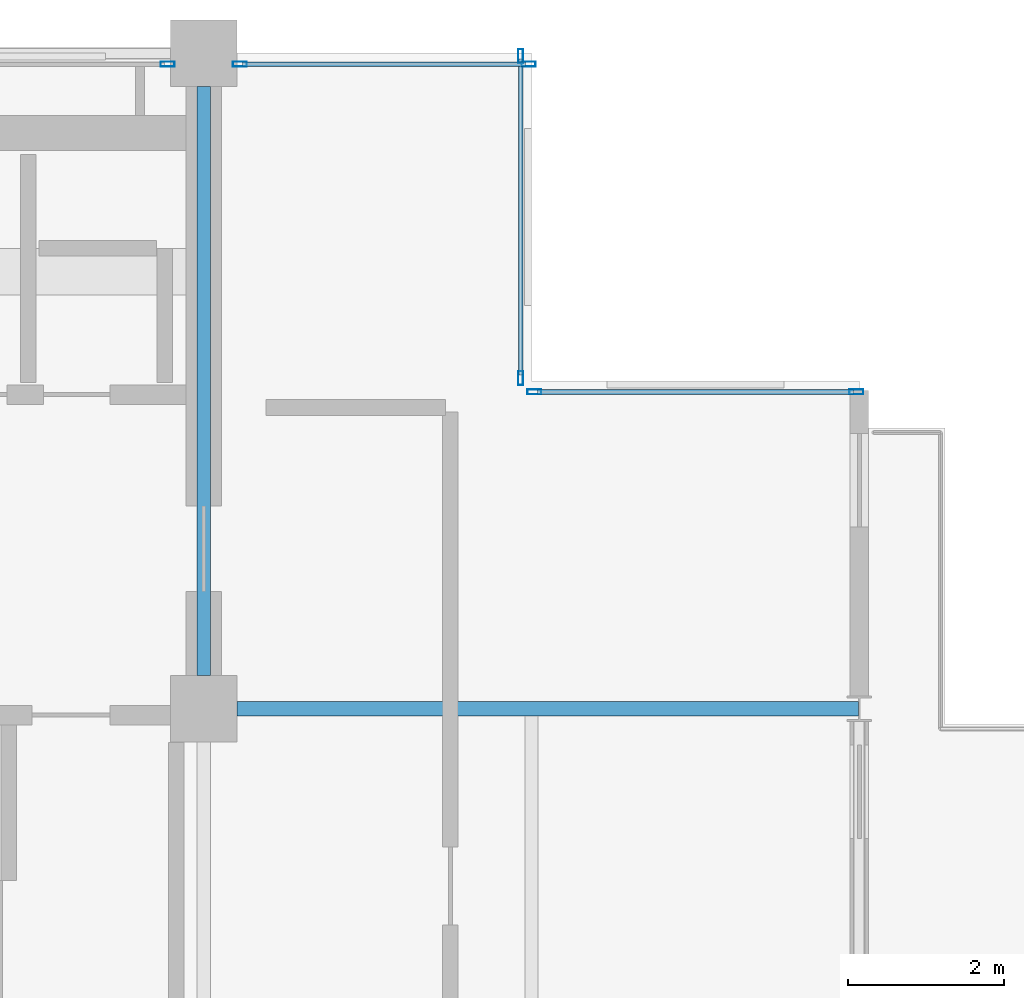
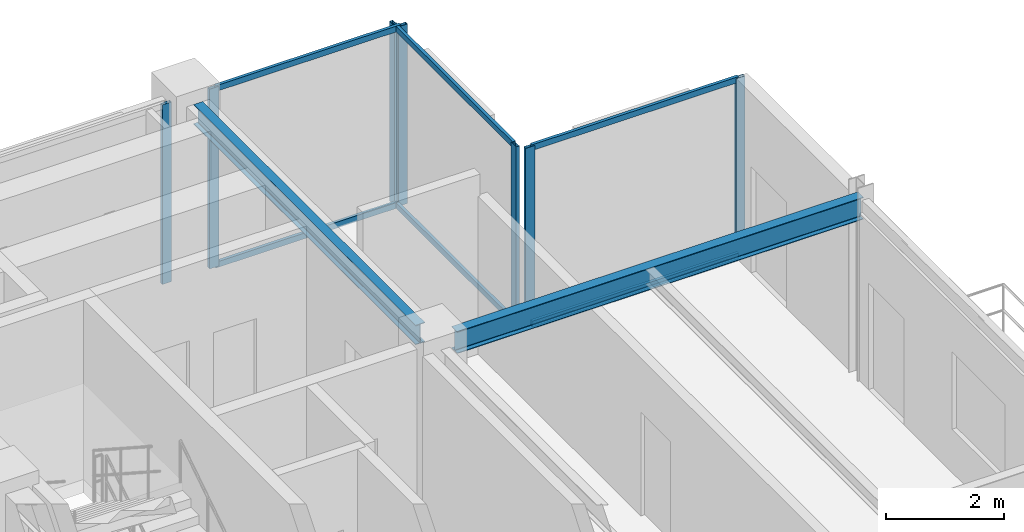
# One storey, part 19 of 26: 13 members, 2 beams, 4 elements without a shape of their own.
"""IFC4 building model written with IfcOpenShell, lengths in metres."""

from ifc_helpers import new_model, si_unit, direction, frame, origin, origin_2d, place, context, subcontext, project, spatial, hollow_rectangle, i_section, extrude, material, layer, layer_set, material_profile, profile_set, type_object, element, aggregate, save


model = new_model("IFC4")

# Units and contexts
model_context = context("Model", 3, precision=1e-05, world=origin(), true_north=direction((0.0, 1.0)))
body_context = subcontext(model_context, "Body", "Model", "MODEL_VIEW")
ifc_project = project(units=[si_unit("LENGTHUNIT", "METRE"), si_unit("AREAUNIT", "SQUARE_METRE"), si_unit("VOLUMEUNIT", "CUBIC_METRE"), si_unit("PLANEANGLEUNIT", "RADIAN"), si_unit("MASSUNIT", "GRAM", prefix="KILO")], contexts=[model_context])

# Site, building, storey
site_placement = place(None, origin())
site = spatial("IfcSite", under=ifc_project, at=site_placement, CompositionType="ELEMENT")
building_placement = place(site_placement, origin())
building = spatial("IfcBuilding", under=site, at=building_placement, Name="Nerrivon Quay Data Exchange", CompositionType="ELEMENT")
storey_placement = place(building_placement, frame((0.0, 0.0, 274.199951171875)))
storey = spatial("IfcBuildingStorey", under=building, at=storey_placement, Name="L65", CompositionType="ELEMENT", Elevation=274.199951171875)

# Beams
ifc_material_1 = material(Name="Steel Grade 350", Category="steel")
ifc_material_profile_1 = material_profile(ifc_material_1, i_section(OverallWidth=0.18994140625, OverallDepth=0.4541015625, WebThickness=0.008544921875, FlangeThickness=0.0126953125, FilletRadius=0.011474609375, at=origin_2d()), Name="460UB67.1")
ifc_profile_set_1 = profile_set([ifc_material_profile_1], Name="Steel Grade 350")
beam_type_1 = type_object("IfcBeamType", Name="BM-G6-460UB67", PredefinedType="BEAM", material=ifc_profile_set_1)
beam_1_placement = place(storey_placement, frame((17.22509765625, 33.60009765625, 3.498046875), z_axis=(1.0, 0.0, 0.0), x_axis=(0.0, 1.0, 0.0)))
element("IfcBeam", 1, at=beam_1_placement, inside=storey, type_object=beam_type_1, Name="L65 EW Girder Y=33.6 (16.8..25.2)", PredefinedType="BEAM", context=body_context, shape_type="SweptSolid", body=[
    extrude(i_section(OverallWidth=0.18994140625, OverallDepth=0.4541015625, WebThickness=0.008544921875, FlangeThickness=0.0126953125, FilletRadius=0.011474609375, at=origin_2d()), origin(), (0.0, 0.0, 1.0), 7.967041015625),
])
ifc_material_profile_2 = material_profile(ifc_material_1, i_section(OverallWidth=0.177978515625, OverallDepth=0.406005859375, WebThickness=0.0078125, FlangeThickness=0.0126953125, FilletRadius=0.011474609375, at=origin_2d()), Name="410UB59.7")
ifc_profile_set_2 = profile_set([ifc_material_profile_2], Name="Steel Grade 350")
beam_type_2 = type_object("IfcBeamType", Name="BM-J1-410UB60", PredefinedType="JOIST", material=ifc_profile_set_2)
beam_2_placement = place(storey_placement, frame((16.800048828125, 34.02490234375, 3.52197265625), z_axis=(0.0, 1.0, 0.0), x_axis=(-1.0, 0.0, 0.0)))
element("IfcBeam", 2, at=beam_2_placement, inside=storey, type_object=beam_type_2, Name="L65 NS Girder X=16.8 (33.6..42.0)", PredefinedType="JOIST", context=body_context, shape_type="SweptSolid", body=[
    extrude(i_section(OverallWidth=0.177978515625, OverallDepth=0.406005859375, WebThickness=0.0078125, FlangeThickness=0.0126953125, FilletRadius=0.011474609375, at=origin_2d()), origin(), (0.0, 0.0, 1.0), 7.550048828125),
])

# Curtain wall, member
ifc_material_2 = material(Name="Anodised aluminium 6063-T6", Category="aluminium")
ifc_layer = layer(ifc_material_2, 0.195068359375)
ifc_layer_set = layer_set([ifc_layer], Name="Anodised aluminium 6063-T6")
curtain_wall_type = type_object("IfcCurtainWallType", Name="CW-SYS-06", PredefinedType="NOTDEFINED", material=ifc_layer_set)
curtain_wall_1_placement = place(storey_placement, origin())
curtain_wall_1 = element("IfcCurtainWall", 3, at=curtain_wall_1_placement, inside=storey, type_object=curtain_wall_type, Name="L65 Unitised Curtain Wall 18", PredefinedType="NOTDEFINED")
ifc_material_profile_3 = material_profile(ifc_material_2, hollow_rectangle(XDim=0.06494140625, YDim=0.179931640625, WallThickness=0.00341796875, at=origin_2d()), Name="ALU-MULL-180x65")
ifc_profile_set_3 = profile_set([ifc_material_profile_3], Name="Anodised aluminium 6063-T6")
member_type_1 = type_object("IfcMemberType", Name="CWM-180x65", PredefinedType="MULLION", material=ifc_profile_set_3)
member_1_placement = place(storey_placement, frame((16.33740234375, 41.860107421875, 0.0), z_axis=(0.0, 0.0, 1.0), x_axis=(0.0, 1.0, 0.0)))
member_1 = element("IfcMember", 4, at=member_1_placement, type_object=member_type_1, Name="CW06 mullion 2", PredefinedType="MULLION", context=body_context, shape_type="SweptSolid", body=[
    extrude(hollow_rectangle(XDim=0.06494140625, YDim=0.179931640625, WallThickness=0.00341796875, at=origin_2d()), origin(), (0.0, 0.0, 1.0), 3.72509765625),
])
aggregate(curtain_wall_1, [member_1])

# Curtain wall, members
curtain_wall_2_placement = place(storey_placement, origin())
curtain_wall_2 = element("IfcCurtainWall", 5, at=curtain_wall_2_placement, inside=storey, type_object=curtain_wall_type, Name="L65 Unitised Curtain Wall 19", PredefinedType="NOTDEFINED")
member_2_placement = place(storey_placement, frame((17.262451171875, 41.860107421875, 0.0), z_axis=(0.0, 0.0, 1.0), x_axis=(0.0, 1.0, 0.0)))
member_2 = element("IfcMember", 6, at=member_2_placement, type_object=member_type_1, Name="CW06 mullion 1", PredefinedType="MULLION", context=body_context, shape_type="SweptSolid", body=[
    extrude(hollow_rectangle(XDim=0.06494140625, YDim=0.179931640625, WallThickness=0.00341796875, at=origin_2d()), origin(), (0.0, 0.0, 1.0), 3.72509765625),
])
member_3_placement = place(storey_placement, frame((20.96240234375, 41.860107421875, 0.0), z_axis=(0.0, 0.0, 1.0), x_axis=(0.0, 1.0, 0.0)))
member_3 = element("IfcMember", 7, at=member_3_placement, type_object=member_type_1, Name="CW06 mullion 2", PredefinedType="MULLION", context=body_context, shape_type="SweptSolid", body=[
    extrude(hollow_rectangle(XDim=0.06494140625, YDim=0.179931640625, WallThickness=0.00341796875, at=origin_2d()), origin(), (0.0, 0.0, 1.0), 3.72509765625),
])

curtain_wall_3_placement = place(storey_placement, origin())
curtain_wall_3 = element("IfcCurtainWall", 8, at=curtain_wall_3_placement, inside=storey, type_object=curtain_wall_type, Name="L65 Unitised Curtain Wall 20", PredefinedType="NOTDEFINED")
member_4_placement = place(storey_placement, frame((20.860107421875, 41.96240234375, 0.0), z_axis=(0.0, 0.0, 1.0), x_axis=(1.0, 0.0, 0.0)))
member_4 = element("IfcMember", 9, at=member_4_placement, type_object=member_type_1, Name="CW06 mullion 1", PredefinedType="MULLION", context=body_context, shape_type="SweptSolid", body=[
    extrude(hollow_rectangle(XDim=0.06494140625, YDim=0.179931640625, WallThickness=0.00341796875, at=origin_2d()), origin(), (0.0, 0.0, 1.0), 3.72509765625),
])
member_5_placement = place(storey_placement, frame((20.860107421875, 37.83740234375, 0.0), z_axis=(0.0, 0.0, 1.0), x_axis=(1.0, 0.0, 0.0)))
member_5 = element("IfcMember", 10, at=member_5_placement, type_object=member_type_1, Name="CW06 mullion 2", PredefinedType="MULLION", context=body_context, shape_type="SweptSolid", body=[
    extrude(hollow_rectangle(XDim=0.06494140625, YDim=0.179931640625, WallThickness=0.00341796875, at=origin_2d()), origin(), (0.0, 0.0, 1.0), 3.72509765625),
])

curtain_wall_4_placement = place(storey_placement, origin())
curtain_wall_4 = element("IfcCurtainWall", 11, at=curtain_wall_4_placement, inside=storey, type_object=curtain_wall_type, Name="L65 Unitised Curtain Wall 21", PredefinedType="NOTDEFINED")
member_6_placement = place(storey_placement, frame((21.03759765625, 37.659912109375, 0.0), z_axis=(0.0, 0.0, 1.0), x_axis=(0.0, 1.0, 0.0)))
member_6 = element("IfcMember", 12, at=member_6_placement, type_object=member_type_1, Name="CW06 mullion 1", PredefinedType="MULLION", context=body_context, shape_type="SweptSolid", body=[
    extrude(hollow_rectangle(XDim=0.06494140625, YDim=0.179931640625, WallThickness=0.00341796875, at=origin_2d()), origin(), (0.0, 0.0, 1.0), 3.72509765625),
])
member_7_placement = place(storey_placement, frame((25.16259765625, 37.659912109375, 0.0), z_axis=(0.0, 0.0, 1.0), x_axis=(0.0, 1.0, 0.0)))
member_7 = element("IfcMember", 13, at=member_7_placement, type_object=member_type_1, Name="CW06 mullion 2", PredefinedType="MULLION", context=body_context, shape_type="SweptSolid", body=[
    extrude(hollow_rectangle(XDim=0.06494140625, YDim=0.179931640625, WallThickness=0.00341796875, at=origin_2d()), origin(), (0.0, 0.0, 1.0), 3.72509765625),
])

# Member
ifc_material_profile_4 = material_profile(ifc_material_2, hollow_rectangle(XDim=0.06005859375, YDim=0.1201171875, WallThickness=0.003173828125, at=origin_2d()), Name="ALU-TRAN-120x60")
ifc_profile_set_4 = profile_set([ifc_material_profile_4], Name="Anodised aluminium 6063-T6")
member_type_2 = type_object("IfcMemberType", Name="CWT-120x60", PredefinedType="USERDEFINED", material=ifc_profile_set_4)
member_8_placement = place(storey_placement, frame((17.300048828125, 41.860107421875, 0.032470703125), z_axis=(1.0, 0.0, 0.0), x_axis=(0.0, 1.0, 0.0)))
member_8 = element("IfcMember", 14, at=member_8_placement, type_object=member_type_2, Name="CW06 transom 1.1", ObjectType="TRANSOM", PredefinedType="USERDEFINED", context=body_context, shape_type="SweptSolid", body=[
    extrude(hollow_rectangle(XDim=0.06005859375, YDim=0.1201171875, WallThickness=0.003173828125, at=origin_2d()), origin(), (0.0, 0.0, 1.0), 3.625),
])

member_9_placement = place(storey_placement, frame((17.300048828125, 41.860107421875, 3.692626953125), z_axis=(1.0, 0.0, 0.0), x_axis=(0.0, 1.0, 0.0)))
member_9 = element("IfcMember", 15, at=member_9_placement, type_object=member_type_2, Name="CW06 transom 1.2", ObjectType="TRANSOM", PredefinedType="USERDEFINED", context=body_context, shape_type="SweptSolid", body=[
    extrude(hollow_rectangle(XDim=0.06005859375, YDim=0.1201171875, WallThickness=0.003173828125, at=origin_2d()), origin(), (0.0, 0.0, 1.0), 3.625),
])

aggregate(curtain_wall_2, [member_2, member_3, member_8, member_9])

member_10_placement = place(storey_placement, frame((20.860107421875, 41.925048828125, 0.032470703125), z_axis=(0.0, -1.0, 0.0), x_axis=(1.0, 0.0, 0.0)))
member_10 = element("IfcMember", 16, at=member_10_placement, type_object=member_type_2, Name="CW06 transom 1.1", ObjectType="TRANSOM", PredefinedType="USERDEFINED", context=body_context, shape_type="SweptSolid", body=[
    extrude(hollow_rectangle(XDim=0.06005859375, YDim=0.1201171875, WallThickness=0.003173828125, at=origin_2d()), origin(), (0.0, 0.0, 1.0), 4.050048828125),
])

member_11_placement = place(storey_placement, frame((20.860107421875, 41.925048828125, 3.692626953125), z_axis=(0.0, -1.0, 0.0), x_axis=(1.0, 0.0, 0.0)))
member_11 = element("IfcMember", 17, at=member_11_placement, type_object=member_type_2, Name="CW06 transom 1.2", ObjectType="TRANSOM", PredefinedType="USERDEFINED", context=body_context, shape_type="SweptSolid", body=[
    extrude(hollow_rectangle(XDim=0.06005859375, YDim=0.1201171875, WallThickness=0.003173828125, at=origin_2d()), origin(), (0.0, 0.0, 1.0), 4.050048828125),
])

aggregate(curtain_wall_3, [member_4, member_5, member_10, member_11])

member_12_placement = place(storey_placement, frame((21.074951171875, 37.659912109375, 0.032470703125), z_axis=(1.0, 0.0, 0.0), x_axis=(0.0, 1.0, 0.0)))
member_12 = element("IfcMember", 18, at=member_12_placement, type_object=member_type_2, Name="CW06 transom 1.1", ObjectType="TRANSOM", PredefinedType="USERDEFINED", context=body_context, shape_type="SweptSolid", body=[
    extrude(hollow_rectangle(XDim=0.06005859375, YDim=0.1201171875, WallThickness=0.003173828125, at=origin_2d()), origin(), (0.0, 0.0, 1.0), 4.050048828125),
])

member_13_placement = place(storey_placement, frame((21.074951171875, 37.659912109375, 3.692626953125), z_axis=(1.0, 0.0, 0.0), x_axis=(0.0, 1.0, 0.0)))
member_13 = element("IfcMember", 19, at=member_13_placement, type_object=member_type_2, Name="CW06 transom 1.2", ObjectType="TRANSOM", PredefinedType="USERDEFINED", context=body_context, shape_type="SweptSolid", body=[
    extrude(hollow_rectangle(XDim=0.06005859375, YDim=0.1201171875, WallThickness=0.003173828125, at=origin_2d()), origin(), (0.0, 0.0, 1.0), 4.050048828125),
])

aggregate(curtain_wall_4, [member_6, member_7, member_12, member_13])

save(model, "model.ifc")
